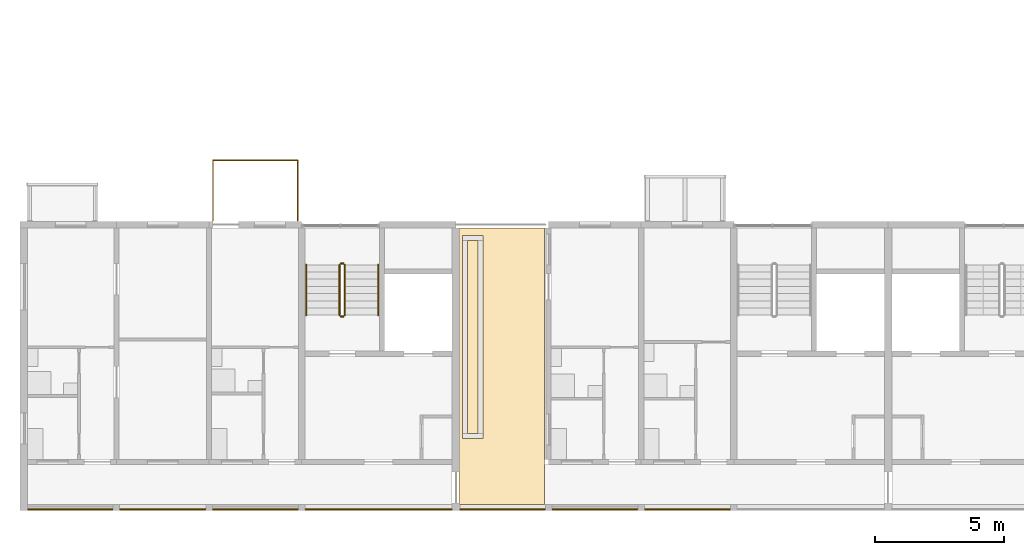
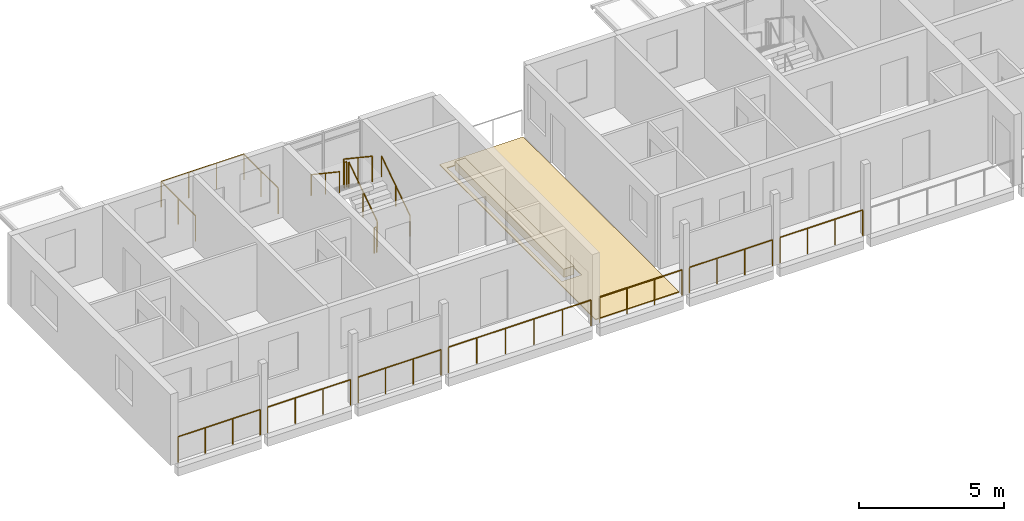
# One storey, part 62 of 78: 14 railings, 3 coverings.
"""IFC4 building model written with IfcOpenShell, lengths in metres."""

from ifc_helpers import new_model, si_unit, direction, frame, origin, origin_2d, place, context, subcontext, project, spatial, polyline, circle, outline, extrude, material, layer, layer_set, type_object, element, save


model = new_model("IFC4")

# Units and contexts
model_context = context("Model", 3, precision=1e-05, world=origin(), true_north=direction((0.0, 1.0)))
body_context = subcontext(model_context, "Body", "Model", "MODEL_VIEW")
ifc_project = project(units=[si_unit("LENGTHUNIT", "METRE"), si_unit("AREAUNIT", "SQUARE_METRE"), si_unit("VOLUMEUNIT", "CUBIC_METRE"), si_unit("PLANEANGLEUNIT", "RADIAN"), si_unit("MASSUNIT", "GRAM", prefix="KILO")], contexts=[model_context])

# Site, building, storey
site_placement = place(None, origin())
site = spatial("IfcSite", under=ifc_project, at=site_placement, CompositionType="ELEMENT")
building_placement = place(site_placement, origin())
building = spatial("IfcBuilding", under=site, at=building_placement, Name="Ridgestep Commons", CompositionType="ELEMENT")
storey_placement = place(building_placement, frame((0.0, 0.0, 30.0)))
storey = spatial("IfcBuildingStorey", under=building, at=storey_placement, Name="L10", CompositionType="ELEMENT", Elevation=30.0)

# Railings
ifc_material_1 = material(Name="Structural steel S355JR", Category="steel")
railing_type_1 = type_object("IfcRailingType", Name="Guard 1100", PredefinedType="GUARDRAIL", material=ifc_material_1)
railing_1_placement = place(storey_placement, frame((12.1708984375, 11.800048828125, 0.0)))
element("IfcRailing", 1, at=railing_1_placement, inside=storey, type_object=railing_type_1, Name="Gallery guard A 10.1", PredefinedType="GUARDRAIL", context=body_context, shape_type="SweptSolid", body=[
    extrude(circle(Radius=0.02392578125, at=origin_2d()), frame((0.0, 0.0, 1.076171875), z_axis=(1.0, 0.0, 0.0), x_axis=(0.0, 1.0, 0.0)), (0.0, 0.0, 1.0), 3.283203125),
    extrude(circle(Radius=0.02099609375, at=origin_2d()), origin(), (0.0, 0.0, 1.0), 1.052001953125),
    extrude(circle(Radius=0.02099609375, at=origin_2d()), frame((1.094482421875, 0.0, 0.0)), (0.0, 0.0, 1.0), 1.052001953125),
    extrude(circle(Radius=0.02099609375, at=origin_2d()), frame((2.188720703125, 0.0, 0.0)), (0.0, 0.0, 1.0), 1.052001953125),
    extrude(circle(Radius=0.02099609375, at=origin_2d()), frame((3.283203125, 0.0, 0.0)), (0.0, 0.0, 1.0), 1.052001953125),
])
railing_2_placement = place(storey_placement, frame((15.74609375, 11.800048828125, 0.0)))
element("IfcRailing", 2, at=railing_2_placement, inside=storey, type_object=railing_type_1, Name="Gallery guard A 10.2", PredefinedType="GUARDRAIL", context=body_context, shape_type="SweptSolid", body=[
    extrude(circle(Radius=0.02392578125, at=origin_2d()), frame((0.0, 0.0, 1.076171875), z_axis=(1.0, 0.0, 0.0), x_axis=(0.0, 1.0, 0.0)), (0.0, 0.0, 1.0), 3.307861328125),
    extrude(circle(Radius=0.02099609375, at=origin_2d()), origin(), (0.0, 0.0, 1.0), 1.052001953125),
    extrude(circle(Radius=0.02099609375, at=origin_2d()), frame((1.1025390625, 0.0, 0.0)), (0.0, 0.0, 1.0), 1.052001953125),
    extrude(circle(Radius=0.02099609375, at=origin_2d()), frame((2.205322265625, 0.0, 0.0)), (0.0, 0.0, 1.0), 1.052001953125),
    extrude(circle(Radius=0.02099609375, at=origin_2d()), frame((3.307861328125, 0.0, 0.0)), (0.0, 0.0, 1.0), 1.052001953125),
])
railing_3_placement = place(storey_placement, frame((19.345947265625, 11.800048828125, 0.0)))
element("IfcRailing", 3, at=railing_3_placement, inside=storey, type_object=railing_type_1, Name="Gallery guard A 10.3", PredefinedType="GUARDRAIL", context=body_context, shape_type="SweptSolid", body=[
    extrude(circle(Radius=0.02392578125, at=origin_2d()), frame((0.0, 0.0, 1.076171875), z_axis=(1.0, 0.0, 0.0), x_axis=(0.0, 1.0, 0.0)), (0.0, 0.0, 1.0), 3.30810546875),
    extrude(circle(Radius=0.02099609375, at=origin_2d()), origin(), (0.0, 0.0, 1.0), 1.052001953125),
    extrude(circle(Radius=0.02099609375, at=origin_2d()), frame((1.102783203125, 0.0, 0.0)), (0.0, 0.0, 1.0), 1.052001953125),
    extrude(circle(Radius=0.02099609375, at=origin_2d()), frame((2.205322265625, 0.0, 0.0)), (0.0, 0.0, 1.0), 1.052001953125),
    extrude(circle(Radius=0.02099609375, at=origin_2d()), frame((3.30810546875, 0.0, 0.0)), (0.0, 0.0, 1.0), 1.052001953125),
])
railing_4_placement = place(storey_placement, frame((22.946044921875, 11.800048828125, 0.0)))
element("IfcRailing", 4, at=railing_4_placement, inside=storey, type_object=railing_type_1, Name="Gallery guard A 10.4", PredefinedType="GUARDRAIL", context=body_context, shape_type="SweptSolid", body=[
    extrude(circle(Radius=0.02392578125, at=origin_2d()), frame((0.0, 0.0, 1.076171875), z_axis=(1.0, 0.0, 0.0), x_axis=(0.0, 1.0, 0.0)), (0.0, 0.0, 1.0), 5.682861328125),
    extrude(circle(Radius=0.02099609375, at=origin_2d()), origin(), (0.0, 0.0, 1.0), 1.052001953125),
    extrude(circle(Radius=0.02099609375, at=origin_2d()), frame((1.136474609375, 0.0, 0.0)), (0.0, 0.0, 1.0), 1.052001953125),
    extrude(circle(Radius=0.02099609375, at=origin_2d()), frame((2.273193359375, 0.0, 0.0)), (0.0, 0.0, 1.0), 1.052001953125),
    extrude(circle(Radius=0.02099609375, at=origin_2d()), frame((3.40966796875, 0.0, 0.0)), (0.0, 0.0, 1.0), 1.052001953125),
    extrude(circle(Radius=0.02099609375, at=origin_2d()), frame((4.54638671875, 0.0, 0.0)), (0.0, 0.0, 1.0), 1.052001953125),
    extrude(circle(Radius=0.02099609375, at=origin_2d()), frame((5.682861328125, 0.0, 0.0)), (0.0, 0.0, 1.0), 1.052001953125),
])
railing_5_placement = place(storey_placement, frame((28.970947265625, 11.800048828125, 0.0)))
element("IfcRailing", 5, at=railing_5_placement, inside=storey, type_object=railing_type_1, Name="Gallery guard A 10.5", PredefinedType="GUARDRAIL", context=body_context, shape_type="SweptSolid", body=[
    extrude(circle(Radius=0.02392578125, at=origin_2d()), frame((0.0, 0.0, 1.076171875), z_axis=(1.0, 0.0, 0.0), x_axis=(0.0, 1.0, 0.0)), (0.0, 0.0, 1.0), 3.282958984375),
    extrude(circle(Radius=0.02099609375, at=origin_2d()), origin(), (0.0, 0.0, 1.0), 1.052001953125),
    extrude(circle(Radius=0.02099609375, at=origin_2d()), frame((1.09423828125, 0.0, 0.0)), (0.0, 0.0, 1.0), 1.052001953125),
    extrude(circle(Radius=0.02099609375, at=origin_2d()), frame((2.188720703125, 0.0, 0.0)), (0.0, 0.0, 1.0), 1.052001953125),
    extrude(circle(Radius=0.02099609375, at=origin_2d()), frame((3.282958984375, 0.0, 0.0)), (0.0, 0.0, 1.0), 1.052001953125),
])
for number, where, name in (
    (6, (32.5458984375, 11.800048828125, 0.0), "Gallery guard A 10.6"),
    (7, (36.14599609375, 11.800048828125, 0.0), "Gallery guard A 10.7"),
):
    element("IfcRailing", number, at=place(storey_placement, frame(where)), inside=storey, type_object=railing_type_1, Name=name, PredefinedType="GUARDRAIL", context=body_context, shape_type="SweptSolid", body=[
        extrude(circle(Radius=0.02392578125, at=origin_2d()), frame((0.0, 0.0, 1.076171875), z_axis=(1.0, 0.0, 0.0), x_axis=(0.0, 1.0, 0.0)), (0.0, 0.0, 1.0), 3.30810546875),
        extrude(circle(Radius=0.02099609375, at=origin_2d()), origin(), (0.0, 0.0, 1.0), 1.052001953125),
        extrude(circle(Radius=0.02099609375, at=origin_2d()), frame((1.102783203125, 0.0, 0.0)), (0.0, 0.0, 1.0), 1.052001953125),
        extrude(circle(Radius=0.02099609375, at=origin_2d()), frame((2.205322265625, 0.0, 0.0)), (0.0, 0.0, 1.0), 1.052001953125),
        extrude(circle(Radius=0.02099609375, at=origin_2d()), frame((3.30810546875, 0.0, 0.0)), (0.0, 0.0, 1.0), 1.052001953125),
    ])

# Covering
ifc_material_2 = material(Name="Planting soil")
ifc_layer_1 = layer(ifc_material_2, 0.35009765625)
ifc_layer_set_1 = layer_set([ifc_layer_1], Name="Planting soil 350")
covering_type_1 = type_object("IfcCoveringType", Name="Planting soil 350", PredefinedType="FLOORING", material=ifc_layer_set_1)
covering_1_placement = place(storey_placement, frame((0.0, 0.0, 0.010009765625)))
element("IfcCovering", 8, at=covering_1_placement, inside=storey, type_object=covering_type_1, Name="Planting soil A2R1", PredefinedType="FLOORING", context=body_context, shape_type="SweptSolid", body=[
    extrude(outline(polyline([(29.25, 14.75), (29.64990234375, 14.75), (29.64990234375, 22.25), (29.25, 22.25), (29.25, 14.75)])), origin(), (0.0, 0.0, 1.0), 0.35009765625),
])

# Railings
ifc_material_3 = material(Name="Structural steel S355JR", Category="steel")
railing_type_2 = type_object("IfcRailingType", Name="Stair guard 1100", PredefinedType="GUARDRAIL", material=ifc_material_3)
railing_6_placement = place(storey_placement, frame((24.47509765625, 19.35009765625, 0.1875)))
element("IfcRailing", 9, at=railing_6_placement, inside=storey, type_object=railing_type_2, Name="L10 A1C stair guard 1", PredefinedType="GUARDRAIL", context=body_context, shape_type="SweptSolid", body=[
    extrude(circle(Radius=0.02392578125, at=origin_2d()), frame((0.0, 0.0, 1.076171875), z_axis=(0.0, 0.830902050051, 0.556418712142), x_axis=(-1.0, 0.0, 0.0)), (0.0, 0.0, 1.0), 2.35888671875),
    extrude(circle(Radius=0.02099609375, at=origin_2d()), origin(), (0.0, 0.0, 1.0), 1.052001953125),
    extrude(circle(Radius=0.02099609375, at=origin_2d()), frame((0.0, 0.97998046875, 0.65625)), (0.0, 0.0, 1.0), 1.052001953125),
    extrude(circle(Radius=0.02099609375, at=origin_2d()), frame((0.0, 1.9599609375, 1.3125)), (0.0, 0.0, 1.0), 1.052001953125),
])
railing_7_placement = place(storey_placement, frame((24.425048828125, 21.360107421875, 1.5)))
element("IfcRailing", 10, at=railing_7_placement, inside=storey, type_object=railing_type_2, Name="L10 A1C stair guard 2", PredefinedType="GUARDRAIL", context=body_context, shape_type="SweptSolid", body=[
    extrude(circle(Radius=0.02392578125, at=origin_2d()), frame((0.0, 0.0, 1.076171875), z_axis=(-1.0, 0.0, 0.0), x_axis=(0.0, -1.0, 0.0)), (0.0, 0.0, 1.0), 0.10009765625),
    extrude(circle(Radius=0.02099609375, at=origin_2d()), origin(), (0.0, 0.0, 1.0), 1.052001953125),
    extrude(circle(Radius=0.02099609375, at=origin_2d()), frame((-0.10009765625, 0.0, 0.0)), (0.0, 0.0, 1.0), 1.052001953125),
])
railing_8_placement = place(storey_placement, frame((24.27490234375, 21.31005859375, 1.6875)))
element("IfcRailing", 11, at=railing_8_placement, inside=storey, type_object=railing_type_2, Name="L10 A1C stair guard 3", PredefinedType="GUARDRAIL", context=body_context, shape_type="SweptSolid", body=[
    extrude(circle(Radius=0.02392578125, at=origin_2d()), frame((0.0, 0.0, 1.076171875), z_axis=(0.0, -0.830902050051, 0.556418712142), x_axis=(1.0, 0.0, 0.0)), (0.0, 0.0, 1.0), 2.35888671875),
    extrude(circle(Radius=0.02099609375, at=origin_2d()), origin(), (0.0, 0.0, 1.0), 1.052001953125),
    extrude(circle(Radius=0.02099609375, at=origin_2d()), frame((0.0, -0.97998046875, 0.65625)), (0.0, 0.0, 1.0), 1.052001953125),
    extrude(circle(Radius=0.02099609375, at=origin_2d()), frame((0.0, -1.9599609375, 1.3125)), (0.0, 0.0, 1.0), 1.052001953125),
])
railing_9_placement = place(storey_placement, frame((24.425048828125, 19.300048828125, 0.0)))
element("IfcRailing", 12, at=railing_9_placement, inside=storey, type_object=railing_type_2, Name="L10 A1C stair guard 4", PredefinedType="GUARDRAIL", context=body_context, shape_type="SweptSolid", body=[
    extrude(circle(Radius=0.02392578125, at=origin_2d()), frame((0.0, 0.0, 1.076171875), z_axis=(-1.0, 0.0, 0.0), x_axis=(0.0, -1.0, 0.0)), (0.0, 0.0, 1.0), 0.10009765625),
    extrude(circle(Radius=0.02099609375, at=origin_2d()), origin(), (0.0, 0.0, 1.0), 1.052001953125),
    extrude(circle(Radius=0.02099609375, at=origin_2d()), frame((-0.10009765625, 0.0, 0.0)), (0.0, 0.0, 1.0), 1.052001953125),
])
ifc_material_4 = material(Name="Structural steel S355JR", Category="steel")
railing_type_3 = type_object("IfcRailingType", Name="Stair handrail 900", PredefinedType="HANDRAIL", material=ifc_material_4)
railing_10_placement = place(storey_placement, frame((25.77490234375, 19.35009765625, 0.1875)))
element("IfcRailing", 13, at=railing_10_placement, inside=storey, type_object=railing_type_3, Name="L10 A1C stair handrail 1", PredefinedType="HANDRAIL", context=body_context, shape_type="SweptSolid", body=[
    extrude(circle(Radius=0.02392578125, at=origin_2d()), frame((0.0, 0.0, 0.8759765625), z_axis=(0.0, 0.830902050051, 0.556418712142), x_axis=(-1.0, 0.0, 0.0)), (0.0, 0.0, 1.0), 2.35888671875),
    extrude(circle(Radius=0.02099609375, at=origin_2d()), origin(), (0.0, 0.0, 1.0), 0.851806640625),
    extrude(circle(Radius=0.02099609375, at=origin_2d()), frame((0.0, 0.97998046875, 0.65625)), (0.0, 0.0, 1.0), 0.851806640625),
    extrude(circle(Radius=0.02099609375, at=origin_2d()), frame((0.0, 1.9599609375, 1.3125)), (0.0, 0.0, 1.0), 0.851806640625),
])
railing_11_placement = place(storey_placement, frame((22.97509765625, 21.31005859375, 1.6875)))
element("IfcRailing", 14, at=railing_11_placement, inside=storey, type_object=railing_type_3, Name="L10 A1C stair handrail 2", PredefinedType="HANDRAIL", context=body_context, shape_type="SweptSolid", body=[
    extrude(circle(Radius=0.02392578125, at=origin_2d()), frame((0.0, 0.0, 0.8759765625), z_axis=(0.0, -0.830902050051, 0.556418712142), x_axis=(1.0, 0.0, 0.0)), (0.0, 0.0, 1.0), 2.35888671875),
    extrude(circle(Radius=0.02099609375, at=origin_2d()), origin(), (0.0, 0.0, 1.0), 0.851806640625),
    extrude(circle(Radius=0.02099609375, at=origin_2d()), frame((0.0, -0.97998046875, 0.65625)), (0.0, 0.0, 1.0), 0.851806640625),
    extrude(circle(Radius=0.02099609375, at=origin_2d()), frame((0.0, -1.9599609375, 1.3125)), (0.0, 0.0, 1.0), 0.851806640625),
])

# Coverings
ifc_material_5 = material(Name="Bitumen membrane, two layer")
ifc_layer_2 = layer(ifc_material_5, 0.010009765625)
ifc_layer_set_2 = layer_set([ifc_layer_2], Name="Terrace membrane 10")
covering_type_2 = type_object("IfcCoveringType", Name="Terrace membrane 10", PredefinedType="ROOFING", material=ifc_layer_set_2)
covering_2_placement = place(storey_placement, origin())
element("IfcCovering", 15, at=covering_2_placement, inside=storey, type_object=covering_type_2, Name="Terrace membrane A2R1", PredefinedType="ROOFING", context=body_context, shape_type="SweptSolid", body=[
    extrude(outline(polyline([(32.25, 12.0), (32.25, 22.75), (28.925048828125, 22.75), (28.925048828125, 12.0), (32.25, 12.0)]), holes=[polyline([(29.85009765625, 14.550048828125), (29.85009765625, 22.449951171875), (29.050048828125, 22.449951171875), (29.050048828125, 14.550048828125), (29.85009765625, 14.550048828125)])]), origin(), (0.0, 0.0, 1.0), 0.010009765625),
])
ifc_material_6 = material(Name="Concrete paving slab", Category="concrete")
ifc_layer_3 = layer(ifc_material_6, 0.030029296875)
ifc_layer_set_3 = layer_set([ifc_layer_3], Name="Terrace paving 30")
covering_type_3 = type_object("IfcCoveringType", Name="Terrace paving 30", PredefinedType="FLOORING", material=ifc_layer_set_3)
covering_3_placement = place(storey_placement, frame((0.0, 0.0, 0.010009765625)))
element("IfcCovering", 16, at=covering_3_placement, inside=storey, type_object=covering_type_3, Name="Terrace paving A2R1", PredefinedType="FLOORING", context=body_context, shape_type="SweptSolid", body=[
    extrude(outline(polyline([(32.25, 12.0), (32.25, 22.75), (28.925048828125, 22.75), (28.925048828125, 12.0), (32.25, 12.0)]), holes=[polyline([(29.85009765625, 14.550048828125), (29.85009765625, 22.449951171875), (29.050048828125, 22.449951171875), (29.050048828125, 14.550048828125), (29.85009765625, 14.550048828125)])]), origin(), (0.0, 0.0, 1.0), 0.030029296875),
])

# Railing
ifc_material_7 = material(Name="Weathering steel S355J2W", Category="steel")
railing_type_4 = type_object("IfcRailingType", Name="Tray guard 1100", PredefinedType="GUARDRAIL", material=ifc_material_7)
railing_12_placement = place(storey_placement, frame((19.35107421875, 23.02099609375, 0.0)))
element("IfcRailing", 17, at=railing_12_placement, inside=storey, type_object=railing_type_4, Name="Tray guard A1T3-10", PredefinedType="GUARDRAIL", context=body_context, shape_type="SweptSolid", body=[
    extrude(circle(Radius=0.02392578125, at=origin_2d()), frame((0.0, 0.0, 1.076171875), z_axis=(0.0, 1.0, 0.0), x_axis=(-1.0, 0.0, 0.0)), (0.0, 0.0, 1.0), 2.35791015625),
    extrude(circle(Radius=0.02392578125, at=origin_2d()), frame((0.0, 2.35791015625, 1.076171875), z_axis=(1.0, 0.0, 0.0), x_axis=(0.0, 1.0, 0.0)), (0.0, 0.0, 1.0), 3.2978515625),
    extrude(circle(Radius=0.02392578125, at=origin_2d()), frame((3.2978515625, 2.35791015625, 1.076171875), z_axis=(0.0, -1.0, 0.0), x_axis=(1.0, 0.0, 0.0)), (0.0, 0.0, 1.0), 2.35791015625),
    extrude(circle(Radius=0.02099609375, at=origin_2d()), origin(), (0.0, 0.0, 1.0), 1.052001953125),
    extrude(circle(Radius=0.02099609375, at=origin_2d()), frame((0.0, 1.178955078125, 0.0)), (0.0, 0.0, 1.0), 1.052001953125),
    extrude(circle(Radius=0.02099609375, at=origin_2d()), frame((0.0, 2.35791015625, 0.0)), (0.0, 0.0, 1.0), 1.052001953125),
    extrude(circle(Radius=0.02099609375, at=origin_2d()), frame((1.099365234375, 2.35791015625, 0.0)), (0.0, 0.0, 1.0), 1.052001953125),
    extrude(circle(Radius=0.02099609375, at=origin_2d()), frame((2.198486328125, 2.35791015625, 0.0)), (0.0, 0.0, 1.0), 1.052001953125),
    extrude(circle(Radius=0.02099609375, at=origin_2d()), frame((3.2978515625, 2.35791015625, 0.0)), (0.0, 0.0, 1.0), 1.052001953125),
    extrude(circle(Radius=0.02099609375, at=origin_2d()), frame((3.2978515625, 1.178955078125, 0.0)), (0.0, 0.0, 1.0), 1.052001953125),
    extrude(circle(Radius=0.02099609375, at=origin_2d()), frame((3.2978515625, 0.0, 0.0)), (0.0, 0.0, 1.0), 1.052001953125),
])

save(model, "model.ifc")
